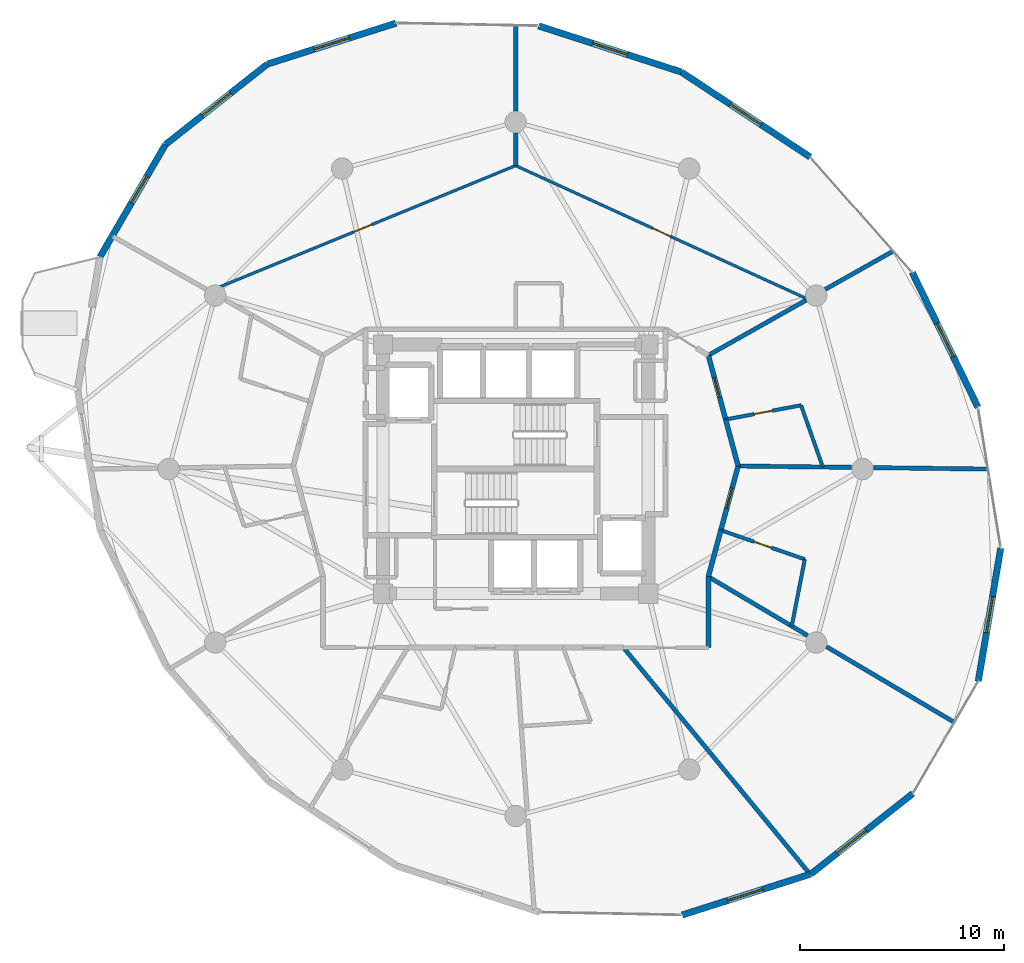
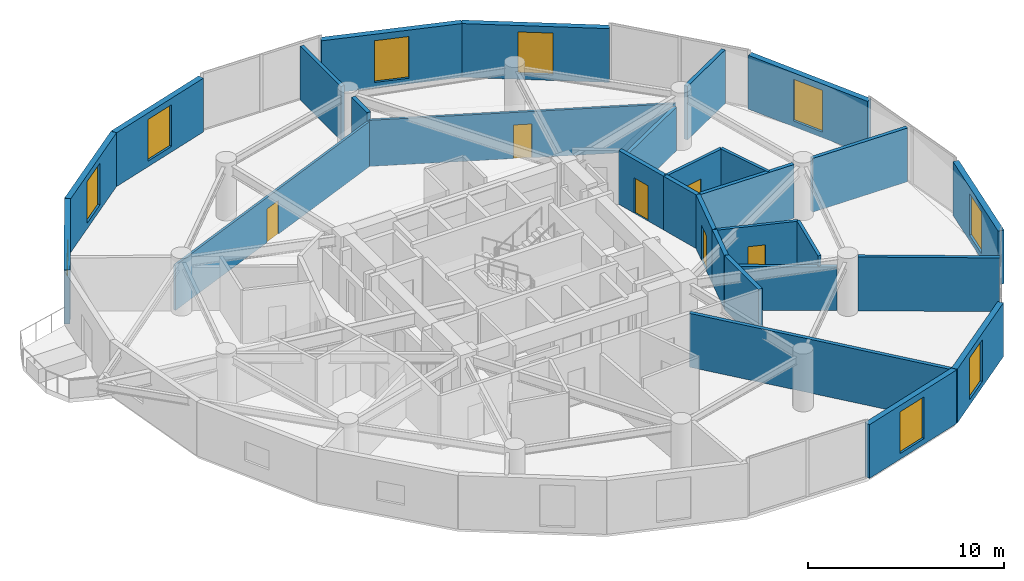
# One storey, part 17 of 20: 29 walls, 9 windows, 6 doors, 15 openings.
"""IFC4 building model written with IfcOpenShell, lengths in metres."""

import ifcopenshell
import ifcopenshell.guid

model = None  # the IFC model being written
_history = None  # IfcOwnerHistory: only IFC2X3 demands one
_inside = {}  # id of a spatial element -> (the spatial element, [elements in it])
_under = {}  # id of a project, library or spatial element -> (it, [spatial elements below it])
_declared = {}  # id of a project -> (the project, [libraries it declares])
_typed = {}  # id of a type object -> (the type object, [elements of that type])
_made_of = {}  # id of a material, layer set ... -> (it, [elements and type objects made of it])


def new_model(schema):
    """Start an empty IFC model of exactly this schema.

    Asked for "IFC4X3", IfcOpenShell would pick the latest addendum, in which some entities
    have other attributes; the version numbers below select the first issue.
    IFC2X3 requires an IfcOwnerHistory on every rooted entity: one is made here for all.
    """
    global model, _history
    if schema == "IFC4X3":
        model = ifcopenshell.file(schema_version=(4, 3, 0, 0))
    else:
        model = ifcopenshell.file(schema=schema)
    _inside.clear()
    _under.clear()
    _declared.clear()
    _typed.clear()
    _made_of.clear()
    _history = None
    if model.schema == "IFC2X3":
        org = make("IfcOrganization", Name="unknown")
        user = make(
            "IfcPersonAndOrganization",
            ThePerson=make("IfcPerson", FamilyName="unknown"),
            TheOrganization=org,
        )
        app = make(
            "IfcApplication",
            ApplicationDeveloper=org,
            Version="unknown",
            ApplicationFullName="unknown",
            ApplicationIdentifier="unknown",
        )
        _history = make(
            "IfcOwnerHistory",
            OwningUser=user,
            OwningApplication=app,
            ChangeAction="ADDED",
            CreationDate=0,
        )
    return model


def make(cls, **values):
    """One entity of the class cls with the attributes given. An attribute that is None is left unset."""
    return model.create_entity(
        cls, **{name: value for name, value in values.items() if value is not None}
    )


def rooted(cls, **values):
    """An entity with a GlobalId (a new one), such as an element, a storey or a relation."""
    return make(cls, GlobalId=ifcopenshell.guid.new(), OwnerHistory=_history, **values)


def si_unit(unit_type, name, prefix=None):
    """IfcSIUnit, for example si_unit("LENGTHUNIT", "METRE", prefix="MILLI")."""
    return make("IfcSIUnit", UnitType=unit_type, Prefix=prefix, Name=name)


def assignment(units):
    """IfcUnitAssignment: the units of a project."""
    return None if units is None else make("IfcUnitAssignment", Units=units)


def point(xyz):
    """IfcCartesianPoint."""
    return None if xyz is None else make("IfcCartesianPoint", Coordinates=xyz)


def direction(xyz):
    """IfcDirection."""
    return None if xyz is None else make("IfcDirection", DirectionRatios=xyz)


def frame(location, z_axis=None, x_axis=None):
    """IfcAxis2Placement3D, a coordinate frame: its origin and axes. An axis left out is left unset."""
    return make(
        "IfcAxis2Placement3D",
        Location=point(location),
        Axis=direction(z_axis),
        RefDirection=direction(x_axis),
    )


def frame_2d(location, x_axis=None):
    """IfcAxis2Placement2D, a coordinate frame in the plane: its origin and x axis."""
    return make(
        "IfcAxis2Placement2D", Location=point(location), RefDirection=direction(x_axis)
    )


def origin():
    """The frame at (0, 0, 0) with its axes left unset."""
    return frame((0.0, 0.0, 0.0))


def place(relative_to, where):
    """IfcLocalPlacement: puts the frame where relative to a parent placement (None: the world)."""
    return make(
        "IfcLocalPlacement", PlacementRelTo=relative_to, RelativePlacement=where
    )


def context(
    kind, dimensions, precision=None, world=None, true_north=None, identifier=None
):
    """IfcGeometricRepresentationContext, for example the 3D "Model" context."""
    return make(
        "IfcGeometricRepresentationContext",
        ContextIdentifier=identifier,
        ContextType=kind,
        CoordinateSpaceDimension=dimensions,
        Precision=precision,
        WorldCoordinateSystem=world,
        TrueNorth=true_north,
    )


def subcontext(parent, identifier, kind, view, scale=None):
    """IfcGeometricRepresentationSubContext, for example "Body" below "Model"."""
    return make(
        "IfcGeometricRepresentationSubContext",
        ContextIdentifier=identifier,
        ContextType=kind,
        ParentContext=parent,
        TargetScale=scale,
        TargetView=view,
    )


def project(units=None, contexts=None):
    """IfcProject with its units and contexts."""
    return rooted(
        "IfcProject",
        Name="project",
        RepresentationContexts=contexts,
        UnitsInContext=assignment(units),
    )


def spatial(cls, under=None, at=None, **own):
    """A site, building, storey or space (cls), placed at a placement, below another one or the project."""
    s = rooted(cls, ObjectPlacement=at, **own)
    if under is not None:
        _under.setdefault(under.id(), (under, []))[1].append(s)
    return s


def profile(cls, at=None, kind="AREA", **sizes):
    """A parametric profile (cls). Its sizes go by their IFC names, for example OverallWidth=200.0."""
    return make(cls, ProfileType=kind, Position=at, **sizes)


def rectangle(**sizes):
    """IfcRectangleProfileDef."""
    return profile("IfcRectangleProfileDef", **sizes)


def extrude(swept, where, along, depth):
    """IfcExtrudedAreaSolid: the profile swept, set in the frame where, extruded along a direction by depth."""
    return make(
        "IfcExtrudedAreaSolid",
        SweptArea=swept,
        Position=where,
        ExtrudedDirection=direction(along),
        Depth=depth,
    )


def shape(context_of_items, identifier, shape_type, items):
    """IfcShapeRepresentation: the items that make up one representation, for example the "Body"."""
    return make(
        "IfcShapeRepresentation",
        ContextOfItems=context_of_items,
        RepresentationIdentifier=identifier,
        RepresentationType=shape_type,
        Items=items,
    )


def material(Name=None, Category=None):
    """IfcMaterial."""
    return make("IfcMaterial", Name=Name, Category=Category)


def layer(
    of_material, thickness, ventilated=None, Name=None, Category=None, Priority=None
):
    """IfcMaterialLayer: one layer of a wall or slab, of a material (None: an air gap)."""
    return make(
        "IfcMaterialLayer",
        Material=of_material,
        LayerThickness=thickness,
        IsVentilated=ventilated,
        Name=Name,
        Category=Category,
        Priority=Priority,
    )


def layer_set(layers, Name=None):
    """IfcMaterialLayerSet."""
    return make("IfcMaterialLayerSet", MaterialLayers=layers, LayerSetName=Name)


def made_of(thing, what):
    """Note that an element or type object is made of a material, layer set ...; save() writes the relation."""
    if what is not None:
        _made_of.setdefault(what.id(), (what, []))[1].append(thing)
    return thing


def type_object(cls, material=None, **own):
    """A type object (cls), such as IfcWallType, which elements share."""
    return made_of(rooted(cls, **own), material)


def element(
    cls,
    number,
    at=None,
    inside=None,
    cuts=None,
    type_object=None,
    material=None,
    context=None,
    identifier="Body",
    shape_type=None,
    held_by="IfcProductDefinitionShape",
    body=None,
    shapes=None,
    **own,
):
    """One element of the class cls, such as IfcWall. Its Tag is "e" and its number.

    at: its placement. inside: the storey or other place that contains it. cuts: it is an
    opening in that element (IfcRelVoidsElement). A single representation is given by context,
    identifier, shape_type and body (its items); several are given by shapes. held_by: the class
    of the entity that holds the representations. save() writes the other relations.
    """
    e = rooted(cls, Tag="e%d" % number, ObjectPlacement=at, **own)
    if body is not None:
        shapes = [shape(context, identifier, shape_type, body)]
    if shapes is not None:
        e.Representation = make(held_by, Representations=shapes)
    if inside is not None:
        _inside.setdefault(inside.id(), (inside, []))[1].append(e)
    if cuts is not None:
        rooted(
            "IfcRelVoidsElement", RelatingBuildingElement=cuts, RelatedOpeningElement=e
        )
    if type_object is not None:
        _typed.setdefault(type_object.id(), (type_object, []))[1].append(e)
    return made_of(e, material)


def fill(opening, filler):
    """IfcRelFillsElement: the door or window that sits in an opening."""
    return rooted(
        "IfcRelFillsElement",
        RelatingOpeningElement=opening,
        RelatedBuildingElement=filler,
    )


def aggregate(whole, parts):
    """IfcRelAggregates: a whole, such as a stair, and the parts it consists of."""
    return rooted("IfcRelAggregates", RelatingObject=whole, RelatedObjects=parts)


def save(model, path):
    """Write the relations noted so far, then the file.

    IfcRelAggregates (storeys below a building ...), IfcRelContainedInSpatialStructure (elements
    in a storey), IfcRelDefinesByType, IfcRelAssociatesMaterial and IfcRelDeclares: one each for
    every whole, place, type object, material and project.
    """
    for whole, parts in _under.values():
        aggregate(whole, parts)
    for where, things in _inside.values():
        rooted(
            "IfcRelContainedInSpatialStructure",
            RelatedElements=things,
            RelatingStructure=where,
        )
    for kind, things in _typed.values():
        rooted("IfcRelDefinesByType", RelatedObjects=things, RelatingType=kind)
    for what, things in _made_of.values():
        rooted("IfcRelAssociatesMaterial", RelatedObjects=things, RelatingMaterial=what)
    for by, libraries in _declared.values():
        rooted("IfcRelDeclares", RelatingContext=by, RelatedDefinitions=libraries)
    model.write(path)


model = new_model("IFC4")

# Units and contexts
model_context = context("Model", 3, precision=1e-05, world=origin(), true_north=direction((0.0, 1.0)))
body_context = subcontext(model_context, "Body", "Model", "MODEL_VIEW")
ifc_project = project(units=[si_unit("LENGTHUNIT", "METRE"), si_unit("AREAUNIT", "SQUARE_METRE"), si_unit("VOLUMEUNIT", "CUBIC_METRE"), si_unit("PLANEANGLEUNIT", "RADIAN"), si_unit("MASSUNIT", "GRAM", prefix="KILO")], contexts=[model_context])

# Site, building, storey
site_placement = place(None, origin())
site = spatial("IfcSite", under=ifc_project, at=site_placement, CompositionType="ELEMENT")
building_placement = place(site_placement, origin())
building = spatial("IfcBuilding", under=site, at=building_placement, Name="Solvirekh Grand Hotel", CompositionType="ELEMENT")
storey_placement = place(building_placement, frame((0.0, 0.0, 135.0)))
storey = spatial("IfcBuildingStorey", under=building, at=storey_placement, Name="L34", CompositionType="ELEMENT", Elevation=135.0)

# Wall, opening, window
ifc_material_1 = material(Name="Precast concrete C45/55", Category="concrete")
ifc_layer_1 = layer(ifc_material_1, 0.320068359375)
ifc_layer_set_1 = layer_set([ifc_layer_1], Name="Precast concrete C45/55")
wall_type_1 = type_object("IfcWallType", Name="ExtLobbyWall_RC320", PredefinedType="SOLIDWALL", material=ifc_layer_set_1)
wall_1_placement = place(storey_placement, frame((23.76806640625, -3.8720703125, 0.0), z_axis=(0.0, 0.0, 1.0), x_axis=(-0.166206715806, -0.986090932734, 0.0)))
wall_1 = element("IfcWall", 1, at=wall_1_placement, inside=storey, type_object=wall_type_1, Name="L34 exterior structural wall chord 2", PredefinedType="SOLIDWALL", context=body_context, shape_type="SweptSolid", body=[
    extrude(rectangle(XDim=6.613037109375, YDim=0.320068359375, at=frame_2d((3.306640625, 0.0))), origin(), (0.0, 0.0, 1.0), 3.35009765625),
])
opening_1_placement = place(wall_1_placement, frame((2.406005859375, 0.0, 0.35009765625)))
opening_1 = element("IfcOpeningElement", 2, at=opening_1_placement, cuts=wall_1, Name="Opening W02", PredefinedType="OPENING", context=body_context, shape_type="SweptSolid", body=[
    extrude(rectangle(XDim=1.800048828125, YDim=2.60009765625, at=frame_2d((0.89990234375, 1.300048828125))), frame((0.0, 0.169921875, 0.0), z_axis=(0.0, -1.0, 0.0), x_axis=(1.0, 0.0, 0.0)), (0.0, 0.0, 1.0), 0.340087890625),
])
ifc_material_2 = material(Name="Low-E Tinted Bronze Laminated Glass", Category="aluminium")
window_type_1 = type_object("IfcWindowType", Name="Win_LobbyExt_1800X2600", PartitioningType="SINGLE_PANEL", PredefinedType="WINDOW", material=ifc_material_2)
window_1_placement = place(opening_1_placement, origin())
window_1 = element("IfcWindow", 3, at=window_1_placement, inside=storey, type_object=window_type_1, Name="L34 panoramic bronze-framed window 2", OverallHeight=2.60009765625, OverallWidth=1.800048828125, PartitioningType="SINGLE_PANEL", PredefinedType="WINDOW", context=body_context, shape_type="SweptSolid", body=[
    extrude(rectangle(XDim=1.800048828125, YDim=2.60009765625, at=frame_2d((0.89990234375, 1.300048828125))), frame((0.0, 0.030029296875, 0.0), z_axis=(0.0, -1.0, 0.0), x_axis=(1.0, 0.0, 0.0)), (0.0, 0.0, 1.0), 0.06005859375),
])
fill(opening_1, window_1)

wall_2_placement = place(storey_placement, frame((19.43408203125, 9.631103515625, 0.0), z_axis=(0.0, 0.0, 1.0), x_axis=(0.438204261182, -0.898875422671, 0.0)))
wall_2 = element("IfcWall", 4, at=wall_2_placement, inside=storey, type_object=wall_type_1, Name="L34 exterior structural wall chord 4", PredefinedType="SOLIDWALL", context=body_context, shape_type="SweptSolid", body=[
    extrude(rectangle(XDim=7.345947265625, YDim=0.320068359375, at=frame_2d((3.6728515625, 0.0))), origin(), (0.0, 0.0, 1.0), 3.35009765625),
])
opening_2_placement = place(wall_2_placement, frame((2.77294921875, 0.0, 0.35009765625)))
opening_2 = element("IfcOpeningElement", 5, at=opening_2_placement, cuts=wall_2, Name="Opening W02", PredefinedType="OPENING", context=body_context, shape_type="SweptSolid", body=[
    extrude(rectangle(XDim=1.800048828125, YDim=2.60009765625, at=frame_2d((0.89990234375, 1.300048828125))), frame((0.0, 0.169921875, 0.0), z_axis=(0.0, -1.0, 0.0), x_axis=(1.0, 0.0, 0.0)), (0.0, 0.0, 1.0), 0.340087890625),
])
window_2_placement = place(opening_2_placement, origin())
window_2 = element("IfcWindow", 6, at=window_2_placement, inside=storey, type_object=window_type_1, Name="L34 panoramic bronze-framed window 4", OverallHeight=2.60009765625, OverallWidth=1.800048828125, PartitioningType="SINGLE_PANEL", PredefinedType="WINDOW", context=body_context, shape_type="SweptSolid", body=[
    extrude(rectangle(XDim=1.800048828125, YDim=2.60009765625, at=frame_2d((0.89990234375, 1.300048828125))), frame((0.0, 0.030029296875, 0.0), z_axis=(0.0, -1.0, 0.0), x_axis=(1.0, 0.0, 0.0)), (0.0, 0.0, 1.0), 0.06005859375),
])
fill(opening_2, window_2)

wall_3_placement = place(storey_placement, frame((8.115966796875, 19.4560546875, 0.0), z_axis=(0.0, 0.0, 1.0), x_axis=(0.834605249122, -0.550848507431, 0.0)))
wall_3 = element("IfcWall", 7, at=wall_3_placement, inside=storey, type_object=wall_type_1, Name="L34 exterior structural wall chord 6", PredefinedType="SOLIDWALL", context=body_context, shape_type="SweptSolid", body=[
    extrude(rectangle(XDim=7.559326171875, YDim=0.320068359375, at=frame_2d((3.77978515625, 0.0))), origin(), (0.0, 0.0, 1.0), 3.35009765625),
])
opening_3_placement = place(wall_3_placement, frame((2.8798828125, 0.0, 0.35009765625)))
opening_3 = element("IfcOpeningElement", 8, at=opening_3_placement, cuts=wall_3, Name="Opening W02", PredefinedType="OPENING", context=body_context, shape_type="SweptSolid", body=[
    extrude(rectangle(XDim=1.800048828125, YDim=2.60009765625, at=frame_2d((0.89990234375, 1.300048828125))), frame((0.0, 0.169921875, 0.0), z_axis=(0.0, -1.0, 0.0), x_axis=(1.0, 0.0, 0.0)), (0.0, 0.0, 1.0), 0.340087890625),
])
window_3_placement = place(opening_3_placement, origin())
window_3 = element("IfcWindow", 9, at=window_3_placement, inside=storey, type_object=window_type_1, Name="L34 panoramic bronze-framed window 6", OverallHeight=2.60009765625, OverallWidth=1.800048828125, PartitioningType="SINGLE_PANEL", PredefinedType="WINDOW", context=body_context, shape_type="SweptSolid", body=[
    extrude(rectangle(XDim=1.800048828125, YDim=2.60009765625, at=frame_2d((0.89990234375, 1.300048828125))), frame((0.0, 0.030029296875, 0.0), z_axis=(0.0, -1.0, 0.0), x_axis=(1.0, 0.0, 0.0)), (0.0, 0.0, 1.0), 0.06005859375),
])
fill(opening_3, window_3)

wall_4_placement = place(storey_placement, frame((1.125, 21.715087890625, 0.0), z_axis=(0.0, 0.0, 1.0), x_axis=(0.951554090089, -0.307481403722, 0.0)))
wall_4 = element("IfcWall", 10, at=wall_4_placement, inside=storey, type_object=wall_type_1, Name="L34 exterior structural wall chord 7", PredefinedType="SOLIDWALL", context=body_context, shape_type="SweptSolid", body=[
    extrude(rectangle(XDim=7.346923828125, YDim=0.320068359375, at=frame_2d((3.67333984375, 0.0))), origin(), (0.0, 0.0, 1.0), 3.35009765625),
])
opening_4_placement = place(wall_4_placement, frame((2.77294921875, 0.0, 0.35009765625)))
opening_4 = element("IfcOpeningElement", 11, at=opening_4_placement, cuts=wall_4, Name="Opening W02", PredefinedType="OPENING", context=body_context, shape_type="SweptSolid", body=[
    extrude(rectangle(XDim=1.800048828125, YDim=2.60009765625, at=frame_2d((0.89990234375, 1.300048828125))), frame((0.0, 0.169921875, 0.0), z_axis=(0.0, -1.0, 0.0), x_axis=(1.0, 0.0, 0.0)), (0.0, 0.0, 1.0), 0.340087890625),
])
window_4_placement = place(opening_4_placement, origin())
window_4 = element("IfcWindow", 12, at=window_4_placement, inside=storey, type_object=window_type_1, Name="L34 panoramic bronze-framed window 7", OverallHeight=2.60009765625, OverallWidth=1.800048828125, PartitioningType="SINGLE_PANEL", PredefinedType="WINDOW", context=body_context, shape_type="SweptSolid", body=[
    extrude(rectangle(XDim=1.800048828125, YDim=2.60009765625, at=frame_2d((0.89990234375, 1.300048828125))), frame((0.0, 0.030029296875, 0.0), z_axis=(0.0, -1.0, 0.0), x_axis=(1.0, 0.0, 0.0)), (0.0, 0.0, 1.0), 0.06005859375),
])
fill(opening_4, window_4)

wall_5_placement = place(storey_placement, frame((-12.1640625, 19.843994140625, 0.0), z_axis=(0.0, 0.0, 1.0), x_axis=(0.952914626631, 0.303238708533, 0.0)))
wall_5 = element("IfcWall", 13, at=wall_5_placement, inside=storey, type_object=wall_type_1, Name="L34 exterior structural wall chord 9", PredefinedType="SOLIDWALL", context=body_context, shape_type="SweptSolid", body=[
    extrude(rectangle(XDim=6.6123046875, YDim=0.320068359375, at=frame_2d((3.30615234375, 0.0))), origin(), (0.0, 0.0, 1.0), 3.35009765625),
])
opening_5_placement = place(wall_5_placement, frame((2.406005859375, 0.0, 0.35009765625)))
opening_5 = element("IfcOpeningElement", 14, at=opening_5_placement, cuts=wall_5, Name="Opening W02", PredefinedType="OPENING", context=body_context, shape_type="SweptSolid", body=[
    extrude(rectangle(XDim=1.800048828125, YDim=2.60009765625, at=frame_2d((0.89990234375, 1.300048828125))), frame((0.0, 0.169921875, 0.0), z_axis=(0.0, -1.0, 0.0), x_axis=(1.0, 0.0, 0.0)), (0.0, 0.0, 1.0), 0.340087890625),
])
window_5_placement = place(opening_5_placement, origin())
window_5 = element("IfcWindow", 15, at=window_5_placement, inside=storey, type_object=window_type_1, Name="L34 panoramic bronze-framed window 9", OverallHeight=2.60009765625, OverallWidth=1.800048828125, PartitioningType="SINGLE_PANEL", PredefinedType="WINDOW", context=body_context, shape_type="SweptSolid", body=[
    extrude(rectangle(XDim=1.800048828125, YDim=2.60009765625, at=frame_2d((0.89990234375, 1.300048828125))), frame((0.0, 0.030029296875, 0.0), z_axis=(0.0, -1.0, 0.0), x_axis=(1.0, 0.0, 0.0)), (0.0, 0.0, 1.0), 0.06005859375),
])
fill(opening_5, window_5)

wall_6_placement = place(storey_placement, frame((-17.1630859375, 15.89697265625, 0.0), z_axis=(0.0, 0.0, 1.0), x_axis=(0.784850386513, 0.619685299802, 0.0)))
wall_6 = element("IfcWall", 16, at=wall_6_placement, inside=storey, type_object=wall_type_1, Name="L34 exterior structural wall chord 10", PredefinedType="SOLIDWALL", context=body_context, shape_type="SweptSolid", body=[
    extrude(rectangle(XDim=6.369384765625, YDim=0.320068359375, at=frame_2d((3.1845703125, 0.0))), origin(), (0.0, 0.0, 1.0), 3.35009765625),
])
opening_6_placement = place(wall_6_placement, frame((2.284912109375, 0.0, 0.35009765625)))
opening_6 = element("IfcOpeningElement", 17, at=opening_6_placement, cuts=wall_6, Name="Opening W02", PredefinedType="OPENING", context=body_context, shape_type="SweptSolid", body=[
    extrude(rectangle(XDim=1.800048828125, YDim=2.60009765625, at=frame_2d((0.89990234375, 1.300048828125))), frame((0.0, 0.169921875, 0.0), z_axis=(0.0, -1.0, 0.0), x_axis=(1.0, 0.0, 0.0)), (0.0, 0.0, 1.0), 0.340087890625),
])
window_6_placement = place(opening_6_placement, origin())
window_6 = element("IfcWindow", 18, at=window_6_placement, inside=storey, type_object=window_type_1, Name="L34 panoramic bronze-framed window 10", OverallHeight=2.60009765625, OverallWidth=1.800048828125, PartitioningType="SINGLE_PANEL", PredefinedType="WINDOW", context=body_context, shape_type="SweptSolid", body=[
    extrude(rectangle(XDim=1.800048828125, YDim=2.60009765625, at=frame_2d((0.89990234375, 1.300048828125))), frame((0.0, 0.030029296875, 0.0), z_axis=(0.0, -1.0, 0.0), x_axis=(1.0, 0.0, 0.0)), (0.0, 0.0, 1.0), 0.06005859375),
])
fill(opening_6, window_6)

wall_7_placement = place(storey_placement, frame((-20.368896484375, 10.39306640625, 0.0), z_axis=(0.0, 0.0, 1.0), x_axis=(0.503308483644, 0.86410680491, 0.0)))
wall_7 = element("IfcWall", 19, at=wall_7_placement, inside=storey, type_object=wall_type_1, Name="L34 cantilevered deck support wall chord 11", PredefinedType="SOLIDWALL", context=body_context, shape_type="SweptSolid", body=[
    extrude(rectangle(XDim=6.369384765625, YDim=0.320068359375, at=frame_2d((3.1845703125, 0.0))), origin(), (0.0, 0.0, 1.0), 3.35009765625),
])
opening_7_placement = place(wall_7_placement, frame((3.076904296875, 0.0, 0.85009765625)))
opening_7 = element("IfcOpeningElement", 20, at=opening_7_placement, cuts=wall_7, Name="Opening W05", PredefinedType="OPENING", context=body_context, shape_type="SweptSolid", body=[
    extrude(rectangle(XDim=1.5, YDim=1.199951171875, at=frame_2d((0.75, 0.60009765625))), frame((0.0, 0.169921875, 0.0), z_axis=(0.0, -1.0, 0.0), x_axis=(1.0, 0.0, 0.0)), (0.0, 0.0, 1.0), 0.340087890625),
])
window_type_2 = type_object("IfcWindowType", Name="Win_PlantVent_1500X1200", PartitioningType="SINGLE_PANEL", PredefinedType="WINDOW", material=ifc_material_2)
window_7_placement = place(opening_7_placement, origin())
window_7 = element("IfcWindow", 21, at=window_7_placement, inside=storey, type_object=window_type_2, Name="L34 bronze-framed vision ribbon window 11", OverallHeight=1.199951171875, OverallWidth=1.5, PartitioningType="SINGLE_PANEL", PredefinedType="WINDOW", context=body_context, shape_type="SweptSolid", body=[
    extrude(rectangle(XDim=1.5, YDim=1.199951171875, at=frame_2d((0.75, 0.60009765625))), frame((0.0, 0.030029296875, 0.0), z_axis=(0.0, -1.0, 0.0), x_axis=(1.0, 0.0, 0.0)), (0.0, 0.0, 1.0), 0.06005859375),
])
fill(opening_7, window_7)

wall_8_placement = place(storey_placement, frame((14.464111328125, -19.843994140625, 0.0), z_axis=(0.0, 0.0, 1.0), x_axis=(-0.952914626631, -0.303238708533, 0.0)))
wall_8 = element("IfcWall", 22, at=wall_8_placement, inside=storey, type_object=wall_type_1, Name="L34 exterior structural wall chord 19", PredefinedType="SOLIDWALL", context=body_context, shape_type="SweptSolid", body=[
    extrude(rectangle(XDim=6.6123046875, YDim=0.320068359375, at=frame_2d((3.30615234375, 0.0))), origin(), (0.0, 0.0, 1.0), 3.35009765625),
])
opening_8_placement = place(wall_8_placement, frame((2.48193359375, 0.0, 0.35009765625)))
opening_8 = element("IfcOpeningElement", 23, at=opening_8_placement, cuts=wall_8, Name="Opening W02", PredefinedType="OPENING", context=body_context, shape_type="SweptSolid", body=[
    extrude(rectangle(XDim=1.800048828125, YDim=2.60009765625, at=frame_2d((0.89990234375, 1.300048828125))), frame((0.0, 0.169921875, 0.0), z_axis=(0.0, -1.0, 0.0), x_axis=(1.0, 0.0, 0.0)), (0.0, 0.0, 1.0), 0.340087890625),
])
window_8_placement = place(opening_8_placement, origin())
window_8 = element("IfcWindow", 24, at=window_8_placement, inside=storey, type_object=window_type_1, Name="L34 panoramic bronze-framed window 19", OverallHeight=2.60009765625, OverallWidth=1.800048828125, PartitioningType="SINGLE_PANEL", PredefinedType="WINDOW", context=body_context, shape_type="SweptSolid", body=[
    extrude(rectangle(XDim=1.800048828125, YDim=2.60009765625, at=frame_2d((0.89990234375, 1.300048828125))), frame((0.0, 0.030029296875, 0.0), z_axis=(0.0, -1.0, 0.0), x_axis=(1.0, 0.0, 0.0)), (0.0, 0.0, 1.0), 0.06005859375),
])
fill(opening_8, window_8)

wall_9_placement = place(storey_placement, frame((19.462890625, -15.89697265625, 0.0), z_axis=(0.0, 0.0, 1.0), x_axis=(-0.784835666651, -0.619703942503, 0.0)))
wall_9 = element("IfcWall", 25, at=wall_9_placement, inside=storey, type_object=wall_type_1, Name="L34 exterior structural wall chord 20", PredefinedType="SOLIDWALL", context=body_context, shape_type="SweptSolid", body=[
    extrude(rectangle(XDim=6.369140625, YDim=0.320068359375, at=frame_2d((3.1845703125, 0.0))), origin(), (0.0, 0.0, 1.0), 3.35009765625),
])
opening_9_placement = place(wall_9_placement, frame((2.919921875, 0.0, 0.35009765625)))
opening_9 = element("IfcOpeningElement", 26, at=opening_9_placement, cuts=wall_9, Name="Opening W02", PredefinedType="OPENING", context=body_context, shape_type="SweptSolid", body=[
    extrude(rectangle(XDim=1.800048828125, YDim=2.60009765625, at=frame_2d((0.89990234375, 1.300048828125))), frame((0.0, 0.169921875, 0.0), z_axis=(0.0, -1.0, 0.0), x_axis=(1.0, 0.0, 0.0)), (0.0, 0.0, 1.0), 0.340087890625),
])
window_9_placement = place(opening_9_placement, origin())
window_9 = element("IfcWindow", 27, at=window_9_placement, inside=storey, type_object=window_type_1, Name="L34 panoramic bronze-framed window 20", OverallHeight=2.60009765625, OverallWidth=1.800048828125, PartitioningType="SINGLE_PANEL", PredefinedType="WINDOW", context=body_context, shape_type="SweptSolid", body=[
    extrude(rectangle(XDim=1.800048828125, YDim=2.60009765625, at=frame_2d((0.89990234375, 1.300048828125))), frame((0.0, 0.030029296875, 0.0), z_axis=(0.0, -1.0, 0.0), x_axis=(1.0, 0.0, 0.0)), (0.0, 0.0, 1.0), 0.06005859375),
])
fill(opening_9, window_9)

# Wall
ifc_material_3 = material(Name="Acoustic Gypsum Partition Assembly")
ifc_layer_2 = layer(ifc_material_3, 0.239990234375)
ifc_layer_set_2 = layer_set([ifc_layer_2], Name="Acoustic Gypsum Partition Assembly")
wall_type_2 = type_object("IfcWallType", Name="Part_Corridor_240", PredefinedType="PARTITIONING", material=ifc_layer_set_2)
wall_10_placement = place(storey_placement, frame((9.43994140625, -5.27490234375, 0.0), z_axis=(0.0, 0.0, 1.0), x_axis=(0.25988439237, 0.965639737481, 0.0)))
element("IfcWall", 28, at=wall_10_placement, inside=storey, type_object=wall_type_2, Name="L34 En-suite Bathroom 3604 corridor backing wall", PredefinedType="PARTITIONING", context=body_context, shape_type="SweptSolid", body=[
    extrude(rectangle(XDim=2.35888671875, YDim=0.239990234375, at=frame_2d((1.179443359375, 0.0))), origin(), (0.0, 0.0, 1.0), 3.35009765625),
])

# Wall, opening, door
wall_11_placement = place(storey_placement, frame((10.052978515625, -2.9970703125, 0.0), z_axis=(0.0, 0.0, 1.0), x_axis=(0.259876755553, 0.965641792759, 0.0)))
wall_11 = element("IfcWall", 29, at=wall_11_placement, inside=storey, type_object=wall_type_2, Name="L34 Deluxe Guestroom 3604 entrance wall", PredefinedType="PARTITIONING", context=body_context, shape_type="SweptSolid", body=[
    extrude(rectangle(XDim=3.259033203125, YDim=0.239990234375, at=frame_2d((1.62939453125, 0.0))), origin(), (0.0, 0.0, 1.0), 3.35009765625),
])
opening_10_placement = place(wall_11_placement, frame((1.12890625, 0.0, 0.0)))
opening_10 = element("IfcOpeningElement", 30, at=opening_10_placement, cuts=wall_11, Name="Opening D07", PredefinedType="OPENING", context=body_context, shape_type="SweptSolid", body=[
    extrude(rectangle(XDim=1.0, YDim=2.199951171875, at=frame_2d((0.5, 1.10009765625))), frame((0.0, 0.1298828125, 0.0), z_axis=(0.0, -1.0, 0.0), x_axis=(1.0, 0.0, 0.0)), (0.0, 0.0, 1.0), 0.260009765625),
])
ifc_material_4 = material(Name="Fire-Rated Steel Door Assembly", Category="steel")
door_type_1 = type_object("IfcDoorType", Name="Door_GuestEntry_1000X2200", OperationType="NOTDEFINED", PredefinedType="DOOR", material=ifc_material_4)
door_1_placement = place(opening_10_placement, origin())
door_1 = element("IfcDoor", 31, at=door_1_placement, inside=storey, type_object=door_type_1, Name="L34 Deluxe Guestroom 3604 entrance door", OperationType="SINGLE_SWING_LEFT", OverallHeight=2.199951171875, OverallWidth=1.0, PredefinedType="DOOR", context=body_context, shape_type="SweptSolid", body=[
    extrude(rectangle(XDim=1.0, YDim=2.199951171875, at=frame_2d((0.5, 1.10009765625))), frame((0.0, 0.02490234375, 0.0), z_axis=(0.0, -1.0, 0.0), x_axis=(1.0, 0.0, 0.0)), (0.0, 0.0, 1.0), 0.050048828125),
])
fill(opening_10, door_1)

# Wall
wall_12_placement = place(storey_placement, frame((10.89990234375, 0.14990234375, 0.0), z_axis=(0.0, 0.0, 1.0), x_axis=(-0.259761917731, 0.965672690976, 0.0)))
element("IfcWall", 32, at=wall_12_placement, inside=storey, type_object=wall_type_2, Name="L34 En-suite Bathroom 3605 corridor backing wall", PredefinedType="PARTITIONING", context=body_context, shape_type="SweptSolid", body=[
    extrude(rectangle(XDim=2.359130859375, YDim=0.239990234375, at=frame_2d((1.1796875, 0.0))), origin(), (0.0, 0.0, 1.0), 3.35009765625),
])

# Wall, opening, door
wall_13_placement = place(storey_placement, frame((10.287109375, 2.427978515625, 0.0), z_axis=(0.0, 0.0, 1.0), x_axis=(-0.259946608151, 0.965622991084, 0.0)))
wall_13 = element("IfcWall", 33, at=wall_13_placement, inside=storey, type_object=wall_type_2, Name="L34 Deluxe Guestroom 3605 entrance wall", PredefinedType="PARTITIONING", context=body_context, shape_type="SweptSolid", body=[
    extrude(rectangle(XDim=3.259033203125, YDim=0.239990234375, at=frame_2d((1.62939453125, 0.0))), origin(), (0.0, 0.0, 1.0), 3.35009765625),
])
opening_11_placement = place(wall_13_placement, frame((1.12890625, 0.0, 0.0)))
opening_11 = element("IfcOpeningElement", 34, at=opening_11_placement, cuts=wall_13, Name="Opening D07", PredefinedType="OPENING", context=body_context, shape_type="SweptSolid", body=[
    extrude(rectangle(XDim=1.0, YDim=2.199951171875, at=frame_2d((0.5, 1.10009765625))), frame((0.0, 0.1298828125, 0.0), z_axis=(0.0, -1.0, 0.0), x_axis=(1.0, 0.0, 0.0)), (0.0, 0.0, 1.0), 0.260009765625),
])
door_2_placement = place(opening_11_placement, origin())
door_2 = element("IfcDoor", 35, at=door_2_placement, inside=storey, type_object=door_type_1, Name="L34 Deluxe Guestroom 3605 entrance door", OperationType="SINGLE_SWING_LEFT", OverallHeight=2.199951171875, OverallWidth=1.0, PredefinedType="DOOR", context=body_context, shape_type="SweptSolid", body=[
    extrude(rectangle(XDim=1.0, YDim=2.199951171875, at=frame_2d((0.5, 1.10009765625))), frame((0.0, 0.02490234375, 0.0), z_axis=(0.0, -1.0, 0.0), x_axis=(1.0, 0.0, 0.0)), (0.0, 0.0, 1.0), 0.050048828125),
])
fill(opening_11, door_2)

# Wall
wall_14_placement = place(storey_placement, frame((9.43994140625, -8.75, 0.0), z_axis=(0.0, 0.0, 1.0), x_axis=(0.0, 1.0, 0.0)))
element("IfcWall", 36, at=wall_14_placement, inside=storey, type_object=wall_type_2, Name="L34 L34 Butler Valet & Linen Steward Room corridor wall 1", PredefinedType="PARTITIONING", context=body_context, shape_type="SweptSolid", body=[
    extrude(rectangle(XDim=3.47509765625, YDim=0.239990234375, at=frame_2d((1.737548828125, 0.0))), origin(), (0.0, 0.0, 1.0), 3.35009765625),
])

# Wall, opening, door
ifc_layer_3 = layer(ifc_material_3, 0.135009765625)
ifc_layer_set_3 = layer_set([ifc_layer_3], Name="Acoustic Gypsum Partition Assembly")
wall_type_3 = type_object("IfcWallType", Name="Part_RoomInt_135", PredefinedType="PARTITIONING", material=ifc_layer_set_3)
wall_15_placement = place(storey_placement, frame((0.0, 14.866943359375, 0.0), z_axis=(0.0, 0.0, 1.0), x_axis=(0.909485869623, -0.415734834909, 0.0)))
wall_15 = element("IfcWall", 37, at=wall_15_placement, inside=storey, type_object=wall_type_3, Name="L34 Panorama Suite 3601 North Sitting Room bedroom screen wall", PredefinedType="PARTITIONING", context=body_context, shape_type="SweptSolid", body=[
    extrude(rectangle(XDim=15.74072265625, YDim=0.135009765625, at=frame_2d((7.870361328125, 0.0))), origin(), (0.0, 0.0, 1.0), 2.8779296875),
])
opening_12_placement = place(wall_15_placement, frame((7.39501953125, 0.0, 0.0)))
opening_12 = element("IfcOpeningElement", 38, at=opening_12_placement, cuts=wall_15, Name="Opening D10", PredefinedType="OPENING", context=body_context, shape_type="SweptSolid", body=[
    extrude(rectangle(XDim=0.949951171875, YDim=2.10009765625, at=frame_2d((0.47509765625, 1.050048828125))), frame((0.0, 0.07763671875, 0.0), z_axis=(0.0, -1.0, 0.0), x_axis=(1.0, 0.0, 0.0)), (0.0, 0.0, 1.0), 0.155029296875),
])
ifc_material_5 = material(Name="Anodized Bronze Aluminium 6063-T6", Category="aluminium")
door_type_2 = type_object("IfcDoorType", Name="Door_RoomInt_950X2100", OperationType="NOTDEFINED", PredefinedType="DOOR", material=ifc_material_5)
door_3_placement = place(opening_12_placement, origin())
door_3 = element("IfcDoor", 39, at=door_3_placement, inside=storey, type_object=door_type_2, Name="L34 Panorama Suite 3601 North Sitting Room master bedroom door", OperationType="SINGLE_SWING_RIGHT", OverallHeight=2.10009765625, OverallWidth=0.949951171875, PredefinedType="DOOR", context=body_context, shape_type="SweptSolid", body=[
    extrude(rectangle(XDim=0.949951171875, YDim=2.10009765625, at=frame_2d((0.47509765625, 1.050048828125))), frame((0.0, 0.02490234375, 0.0), z_axis=(0.0, -1.0, 0.0), x_axis=(1.0, 0.0, 0.0)), (0.0, 0.0, 1.0), 0.050048828125),
])
fill(opening_12, door_3)

wall_16_placement = place(storey_placement, frame((-15.0009765625, 8.718017578125, 0.0), z_axis=(0.0, 0.0, 1.0), x_axis=(0.925283827326, 0.379275412978, 0.0)))
wall_16 = element("IfcWall", 40, at=wall_16_placement, inside=storey, type_object=wall_type_3, Name="L34 Panorama Suite 3601 Observatory Library bedroom screen wall", PredefinedType="PARTITIONING", context=body_context, shape_type="SweptSolid", body=[
    extrude(rectangle(XDim=16.21240234375, YDim=0.135009765625, at=frame_2d((8.106201171875, 0.0))), origin(), (0.0, 0.0, 1.0), 2.805908203125),
])
opening_13_placement = place(wall_16_placement, frame((7.631103515625, 0.0, 0.0)))
opening_13 = element("IfcOpeningElement", 41, at=opening_13_placement, cuts=wall_16, Name="Opening D10", PredefinedType="OPENING", context=body_context, shape_type="SweptSolid", body=[
    extrude(rectangle(XDim=0.949951171875, YDim=2.10009765625, at=frame_2d((0.47509765625, 1.050048828125))), frame((0.0, 0.07763671875, 0.0), z_axis=(0.0, -1.0, 0.0), x_axis=(1.0, 0.0, 0.0)), (0.0, 0.0, 1.0), 0.155029296875),
])
door_4_placement = place(opening_13_placement, origin())
door_4 = element("IfcDoor", 42, at=door_4_placement, inside=storey, type_object=door_type_2, Name="L34 Panorama Suite 3601 Observatory Library master bedroom door", OperationType="SINGLE_SWING_LEFT", OverallHeight=2.10009765625, OverallWidth=0.949951171875, PredefinedType="DOOR", context=body_context, shape_type="SweptSolid", body=[
    extrude(rectangle(XDim=0.949951171875, YDim=2.10009765625, at=frame_2d((0.47509765625, 1.050048828125))), frame((0.0, 0.02490234375, 0.0), z_axis=(0.0, -1.0, 0.0), x_axis=(1.0, 0.0, 0.0)), (0.0, 0.0, 1.0), 0.050048828125),
])
fill(opening_13, door_4)

# Walls
ifc_layer_4 = layer(ifc_material_3, 0.2099609375)
ifc_layer_set_4 = layer_set([ifc_layer_4], Name="Acoustic Gypsum Partition Assembly")
wall_type_4 = type_object("IfcWallType", Name="Part_SuiteDemise_210", PredefinedType="PARTITIONING", material=ifc_layer_set_4)
for number, where, z_axis, x_axis, name in (
    (43, (10.89990234375, 0.14990234375, 0.0), (0.0, 0.0, 1.0), (0.999925530249, -0.012203850093, 0.0), "L34 suite radial wall 1 (A)"),
    (44, (17.541015625, 0.068115234375, 0.0), (0.0, 0.0, 1.0), (0.999924993592, -0.012247742261, 0.0), "L34 suite radial wall 1 (B)"),
):
    element("IfcWall", number, at=place(storey_placement, frame(where, z_axis=z_axis, x_axis=x_axis)), inside=storey, type_object=wall_type_4, Name=name, PredefinedType="PARTITIONING", context=body_context, shape_type="SweptSolid", body=[
        extrude(rectangle(XDim=5.5615234375, YDim=0.2099609375, at=frame_2d((2.78076171875, 0.0))), origin(), (0.0, 0.0, 1.0), 3.35009765625),
    ])
wall_17_placement = place(storey_placement, frame((9.43994140625, 5.574951171875, 0.0), z_axis=(0.0, 0.0, 1.0), x_axis=(0.871243078021, 0.490851809613, 0.0)))
element("IfcWall", 45, at=wall_17_placement, inside=storey, type_object=wall_type_4, Name="L34 suite radial wall 2 (A)", PredefinedType="PARTITIONING", context=body_context, shape_type="SweptSolid", body=[
    extrude(rectangle(XDim=5.49462890625, YDim=0.2099609375, at=frame_2d((2.747314453125, 0.0))), origin(), (0.0, 0.0, 1.0), 2.717041015625),
])
wall_18_placement = place(storey_placement, frame((15.173095703125, 8.805908203125, 0.0), z_axis=(0.0, 0.0, 1.0), x_axis=(0.871209921186, 0.490910657071, 0.0)))
element("IfcWall", 46, at=wall_18_placement, inside=storey, type_object=wall_type_4, Name="L34 suite radial wall 2 (B)", PredefinedType="PARTITIONING", context=body_context, shape_type="SweptSolid", body=[
    extrude(rectangle(XDim=3.783203125, YDim=0.2099609375, at=frame_2d((1.8916015625, 0.0))), origin(), (0.0, 0.0, 1.0), 3.35009765625),
])
wall_19_placement = place(storey_placement, frame((9.43994140625, -5.27490234375, 0.0), z_axis=(0.0, 0.0, 1.0), x_axis=(0.860527977628, -0.509403179927, 0.0)))
element("IfcWall", 47, at=wall_19_placement, inside=storey, type_object=wall_type_4, Name="L34 suite radial wall 12 (A)", PredefinedType="PARTITIONING", context=body_context, shape_type="SweptSolid", body=[
    extrude(rectangle(XDim=5.650146484375, YDim=0.2099609375, at=frame_2d((2.8251953125, 0.0))), origin(), (0.0, 0.0, 1.0), 2.717041015625),
])
wall_20_placement = place(storey_placement, frame((15.22802734375, -8.700927734375, 0.0), z_axis=(0.0, 0.0, 1.0), x_axis=(0.860535668123, -0.509390188253, 0.0)))
element("IfcWall", 48, at=wall_20_placement, inside=storey, type_object=wall_type_4, Name="L34 suite radial wall 12 (B)", PredefinedType="PARTITIONING", context=body_context, shape_type="SweptSolid", body=[
    extrude(rectangle(XDim=7.241943359375, YDim=0.2099609375, at=frame_2d((3.62109375, 0.0))), origin(), (0.0, 0.0, 1.0), 3.35009765625),
])
wall_21_placement = place(storey_placement, frame((0.0, 14.866943359375, 0.0), z_axis=(0.0, 0.0, 1.0), x_axis=(0.0, 1.0, 0.0)))
element("IfcWall", 49, at=wall_21_placement, inside=storey, type_object=wall_type_4, Name="L34 Panorama Suite 3601 North Sitting Room dividing partition 1 (A)", PredefinedType="PARTITIONING", context=body_context, shape_type="SweptSolid", body=[
    extrude(rectangle(XDim=1.588134765625, YDim=0.2099609375, at=frame_2d((0.7939453125, 0.0))), origin(), (0.0, 0.0, 1.0), 3.35009765625),
])
wall_22_placement = place(storey_placement, frame((0.0, 17.544921875, 0.0), z_axis=(0.0, 0.0, 1.0), x_axis=(0.0, 1.0, 0.0)))
element("IfcWall", 50, at=wall_22_placement, inside=storey, type_object=wall_type_4, Name="L34 Panorama Suite 3601 North Sitting Room dividing partition 1 (B)", PredefinedType="PARTITIONING", context=body_context, shape_type="SweptSolid", body=[
    extrude(rectangle(XDim=4.152099609375, YDim=0.2099609375, at=frame_2d((2.076171875, 0.0))), origin(), (0.0, 0.0, 1.0), 3.35009765625),
])
wall_23_placement = place(storey_placement, frame((5.285888671875, -8.75, 0.0), z_axis=(0.0, 0.0, 1.0), x_axis=(0.635601055051, -0.772017680379, 0.0)))
element("IfcWall", 51, at=wall_23_placement, inside=storey, type_object=wall_type_4, Name="L34 Deluxe Guestroom 3607 dividing partition 1", PredefinedType="PARTITIONING", context=body_context, shape_type="SweptSolid", body=[
    extrude(rectangle(XDim=14.34423828125, YDim=0.2099609375, at=frame_2d((7.172119140625, 0.0))), origin(), (0.0, 0.0, 1.0), 3.35009765625),
])
ifc_layer_5 = layer(ifc_material_3, 0.175048828125)
ifc_layer_set_5 = layer_set([ifc_layer_5], Name="Acoustic Gypsum Partition Assembly")
wall_type_5 = type_object("IfcWallType", Name="Plumb_Ensuite_175", PredefinedType="PLUMBINGWALL", material=ifc_layer_set_5)
wall_24_placement = place(storey_placement, frame((13.527099609375, -7.694091796875, 0.0), z_axis=(0.0, 0.0, 1.0), x_axis=(0.191580880293, 0.981476829225, 0.0)))
element("IfcWall", 52, at=wall_24_placement, inside=storey, type_object=wall_type_5, Name="L34 En-suite Bathroom 3604 outer plumbing wall", PredefinedType="PLUMBINGWALL", context=body_context, shape_type="SweptSolid", body=[
    extrude(rectangle(XDim=3.3349609375, YDim=0.175048828125, at=frame_2d((1.66748046875, 0.0))), origin(), (0.0, 0.0, 1.0), 3.35009765625),
])

# Wall, opening, door
wall_25_placement = place(storey_placement, frame((10.052978515625, -2.9970703125, 0.0), z_axis=(0.0, 0.0, 1.0), x_axis=(0.944980071375, -0.327127902669, 0.0)))
wall_25 = element("IfcWall", 53, at=wall_25_placement, inside=storey, type_object=wall_type_5, Name="L34 En-suite Bathroom 3604 entry plumbing wall", PredefinedType="PLUMBINGWALL", context=body_context, shape_type="SweptSolid", body=[
    extrude(rectangle(XDim=4.3525390625, YDim=0.175048828125, at=frame_2d((2.17626953125, 0.0))), origin(), (0.0, 0.0, 1.0), 3.35009765625),
])
opening_14_placement = place(wall_25_placement, frame((1.72607421875, 0.0, 0.0)))
opening_14 = element("IfcOpeningElement", 54, at=opening_14_placement, cuts=wall_25, Name="Opening D09", PredefinedType="OPENING", context=body_context, shape_type="SweptSolid", body=[
    extrude(rectangle(XDim=0.89990234375, YDim=2.10009765625, at=frame_2d((0.449951171875, 1.050048828125))), frame((0.0, 0.09765625, 0.0), z_axis=(0.0, -1.0, 0.0), x_axis=(1.0, 0.0, 0.0)), (0.0, 0.0, 1.0), 0.195068359375),
])
door_type_3 = type_object("IfcDoorType", Name="Door_Ensuite_900X2100", OperationType="NOTDEFINED", PredefinedType="DOOR", material=ifc_material_5)
door_5_placement = place(opening_14_placement, origin())
door_5 = element("IfcDoor", 55, at=door_5_placement, inside=storey, type_object=door_type_3, Name="L34 En-suite Bathroom 3604 door", OperationType="SINGLE_SWING_RIGHT", OverallHeight=2.10009765625, OverallWidth=0.89990234375, PredefinedType="DOOR", context=body_context, shape_type="SweptSolid", body=[
    extrude(rectangle(XDim=0.89990234375, YDim=2.10009765625, at=frame_2d((0.449951171875, 1.050048828125))), frame((0.0, 0.02490234375, 0.0), z_axis=(0.0, -1.0, 0.0), x_axis=(1.0, 0.0, 0.0)), (0.0, 0.0, 1.0), 0.050048828125),
])
fill(opening_14, door_5)

# Wall
wall_26_placement = place(storey_placement, frame((15.049072265625, 0.09912109375, 0.0), z_axis=(0.0, 0.0, 1.0), x_axis=(-0.332593240215, 0.943070377312, 0.0)))
element("IfcWall", 56, at=wall_26_placement, inside=storey, type_object=wall_type_5, Name="L34 En-suite Bathroom 3605 outer plumbing wall", PredefinedType="PLUMBINGWALL", context=body_context, shape_type="SweptSolid", body=[
    extrude(rectangle(XDim=3.20849609375, YDim=0.175048828125, at=frame_2d((1.604248046875, 0.0))), origin(), (0.0, 0.0, 1.0), 3.35009765625),
])

# Wall, opening, door
wall_27_placement = place(storey_placement, frame((10.287109375, 2.427978515625, 0.0), z_axis=(0.0, 0.0, 1.0), x_axis=(0.982667233494, 0.185378284104, 0.0)))
wall_27 = element("IfcWall", 57, at=wall_27_placement, inside=storey, type_object=wall_type_5, Name="L34 En-suite Bathroom 3605 entry plumbing wall", PredefinedType="PLUMBINGWALL", context=body_context, shape_type="SweptSolid", body=[
    extrude(rectangle(XDim=3.760009765625, YDim=0.175048828125, at=frame_2d((1.8798828125, 0.0))), origin(), (0.0, 0.0, 1.0), 3.35009765625),
])
opening_15_placement = place(wall_27_placement, frame((1.429931640625, 0.0, 0.0)))
opening_15 = element("IfcOpeningElement", 58, at=opening_15_placement, cuts=wall_27, Name="Opening D09", PredefinedType="OPENING", context=body_context, shape_type="SweptSolid", body=[
    extrude(rectangle(XDim=0.89990234375, YDim=2.10009765625, at=frame_2d((0.449951171875, 1.050048828125))), frame((0.0, 0.09765625, 0.0), z_axis=(0.0, -1.0, 0.0), x_axis=(1.0, 0.0, 0.0)), (0.0, 0.0, 1.0), 0.195068359375),
])
door_6_placement = place(opening_15_placement, origin())
door_6 = element("IfcDoor", 59, at=door_6_placement, inside=storey, type_object=door_type_3, Name="L34 En-suite Bathroom 3605 door", OperationType="SINGLE_SWING_RIGHT", OverallHeight=2.10009765625, OverallWidth=0.89990234375, PredefinedType="DOOR", context=body_context, shape_type="SweptSolid", body=[
    extrude(rectangle(XDim=0.89990234375, YDim=2.10009765625, at=frame_2d((0.449951171875, 1.050048828125))), frame((0.0, 0.02490234375, 0.0), z_axis=(0.0, -1.0, 0.0), x_axis=(1.0, 0.0, 0.0)), (0.0, 0.0, 1.0), 0.050048828125),
])
fill(opening_15, door_6)

save(model, "model.ifc")
